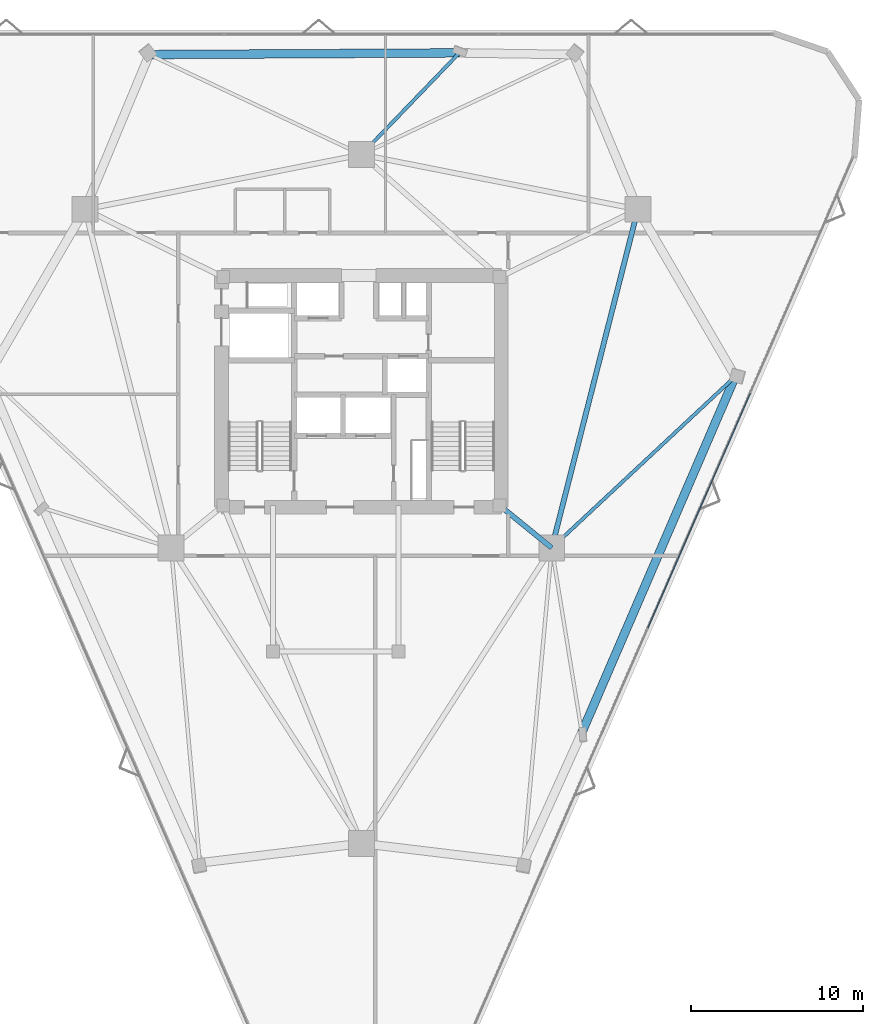
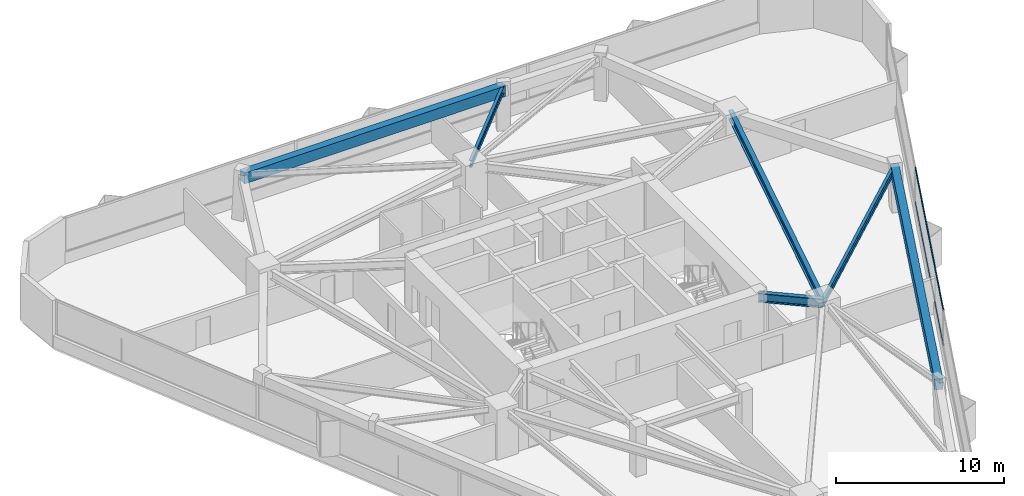
# One storey, part 6 of 14: 6 beams, 2 members, 1 element without a shape of its own.
"""IFC4 building model written with IfcOpenShell, lengths in metres."""

from ifc_helpers import new_model, si_unit, direction, frame, origin, origin_2d, place, context, subcontext, project, spatial, rectangle, i_section, extrude, material, layer, layer_set, material_profile, profile_set, type_object, element, aggregate, save


model = new_model("IFC4")

# Units and contexts
model_context = context("Model", 3, precision=1e-05, world=origin(), true_north=direction((0.0, 1.0)))
body_context = subcontext(model_context, "Body", "Model", "MODEL_VIEW")
ifc_project = project(units=[si_unit("LENGTHUNIT", "METRE"), si_unit("AREAUNIT", "SQUARE_METRE"), si_unit("VOLUMEUNIT", "CUBIC_METRE"), si_unit("PLANEANGLEUNIT", "RADIAN"), si_unit("MASSUNIT", "GRAM", prefix="KILO")], contexts=[model_context])

# Site, building, storey
site_placement = place(None, origin())
site = spatial("IfcSite", under=ifc_project, at=site_placement, CompositionType="ELEMENT")
building_placement = place(site_placement, origin())
building = spatial("IfcBuilding", under=site, at=building_placement, Name="Talyreon Biosciences Tower", CompositionType="ELEMENT")
storey_placement = place(building_placement, frame((0.0, 0.0, 138.14990234375)))
storey = spatial("IfcBuildingStorey", under=building, at=storey_placement, Name="L36", CompositionType="ELEMENT", Elevation=138.14990234375)

# Curtain wall, members
ifc_material_1 = material(Name="Thermally broken aluminium and low-E glazing", Category="aluminium")
ifc_layer = layer(ifc_material_1, 0.18505859375)
ifc_layer_set = layer_set([ifc_layer], Name="Thermally broken aluminium and low-E glazing")
curtain_wall_type = type_object("IfcCurtainWallType", Name="CurtainWall_Zone3Bioprocess", PredefinedType="NOTDEFINED", material=ifc_layer_set)
curtain_wall_placement = place(storey_placement, origin())
curtain_wall = element("IfcCurtainWall", 1, at=curtain_wall_placement, inside=storey, type_object=curtain_wall_type, Name="L36 Unitised Curtain Wall FCW-L36-08", PredefinedType="NOTDEFINED")
ifc_material_2 = material(Name="Anodised thermally broken aluminium", Category="aluminium")
ifc_material_profile_1 = material_profile(ifc_material_2, rectangle(XDim=0.06494140625, YDim=0.139892578125, at=origin_2d()), Name="ALUM TRANSOM 65x140")
ifc_profile_set_1 = profile_set([ifc_material_profile_1], Name="Anodised thermally broken aluminium")
member_type = type_object("IfcMemberType", Name="CWTransom_65x140", PredefinedType="USERDEFINED", material=ifc_profile_set_1)
member_1_placement = place(storey_placement, frame((88.648193359375, 67.880615234375, 0.842529296875), z_axis=(-0.399893696756, -0.916561526192, 0.0), x_axis=(0.916561526192, -0.399893696756, 0.0)))
member_1 = element("IfcMember", 2, at=member_1_placement, type_object=member_type, Name="CW4 transom 2.1", ObjectType="TRANSOM", PredefinedType="USERDEFINED", context=body_context, shape_type="SweptSolid", body=[
    extrude(rectangle(XDim=0.06494140625, YDim=0.139892578125, at=origin_2d()), origin(), (0.0, 0.0, 1.0), 14.9130859375),
])
member_2_placement = place(storey_placement, frame((88.648193359375, 67.880615234375, 3.342529296875), z_axis=(-0.399893696756, -0.916561526192, 0.0), x_axis=(0.916561526192, -0.399893696756, 0.0)))
member_2 = element("IfcMember", 3, at=member_2_placement, type_object=member_type, Name="CW4 transom 2.2", ObjectType="TRANSOM", PredefinedType="USERDEFINED", context=body_context, shape_type="SweptSolid", body=[
    extrude(rectangle(XDim=0.06494140625, YDim=0.139892578125, at=origin_2d()), origin(), (0.0, 0.0, 1.0), 14.9130859375),
])
aggregate(curtain_wall, [member_1, member_2])

# Beams
ifc_material_3 = material(Name="Precast concrete C45/55", Category="concrete")
ifc_material_profile_2 = material_profile(ifc_material_3, rectangle(XDim=0.5, YDim=0.780029296875, at=origin_2d()), Name="RCB 500x780")
ifc_profile_set_2 = profile_set([ifc_material_profile_2], Name="Precast concrete C45/55")
beam_type_1 = type_object("IfcBeamType", Name="ExpressedSpandrel_500x780", PredefinedType="SPANDREL", material=ifc_profile_set_2)
beam_1_placement = place(storey_placement, frame((78.836181640625, 48.1201171875, 2.985107421875), z_axis=(0.395761465056, 0.918353343097, 0.0), x_axis=(-0.918353343097, 0.395761465056, 0.0)))
element("IfcBeam", 4, at=beam_1_placement, inside=storey, type_object=beam_type_1, Name="L36 Expressed Horizontal Concrete Spandrel 03", PredefinedType="SPANDREL", context=body_context, shape_type="SweptSolid", body=[
    extrude(rectangle(XDim=0.5, YDim=0.780029296875, at=origin_2d()), origin(), (0.0, 0.0, 1.0), 22.591064453125),
])
beam_2_placement = place(storey_placement, frame((71.70458984375, 87.7138671875, 2.985107421875), z_axis=(-0.999984723446, -0.005527465461, 0.0), x_axis=(0.005527465461, -0.999984723446, 0.0)))
element("IfcBeam", 5, at=beam_2_placement, inside=storey, type_object=beam_type_1, Name="L36 Expressed Horizontal Concrete Spandrel 07", PredefinedType="SPANDREL", context=body_context, shape_type="SweptSolid", body=[
    extrude(rectangle(XDim=0.5, YDim=0.780029296875, at=origin_2d()), origin(), (0.0, 0.0, 1.0), 18.06494140625),
])
ifc_material_4 = material(Name="Steel SM355", Category="steel")
ifc_material_profile_3 = material_profile(ifc_material_4, i_section(OverallWidth=0.300048828125, OverallDepth=0.64990234375, WebThickness=0.01611328125, FlangeThickness=0.031005859375, FilletRadius=0.027099609375, at=origin_2d()), Name="HE650B")
ifc_profile_set_3 = profile_set([ifc_material_profile_3], Name="Steel SM355")
beam_type_2 = type_object("IfcBeamType", Name="SteelBeam_HE650B", PredefinedType="BEAM", material=ifc_profile_set_3)
beam_3_placement = place(storey_placement, frame((77.086181640625, 58.88037109375, 3.050048828125), z_axis=(0.246537082299, 0.969133358755, 0.0), x_axis=(-0.969133358755, 0.246537082299, 0.0)))
element("IfcBeam", 6, at=beam_3_placement, inside=storey, type_object=beam_type_2, Name="L36 Mega-Ring Girder 2", PredefinedType="BEAM", context=body_context, shape_type="SweptSolid", body=[
    extrude(i_section(OverallWidth=0.300048828125, OverallDepth=0.64990234375, WebThickness=0.01611328125, FlangeThickness=0.031005859375, FilletRadius=0.027099609375, at=origin_2d()), origin(), (0.0, 0.0, 1.0), 20.34619140625),
])
beam_4_placement = place(storey_placement, frame((74.050048828125, 61.35009765625, 3.050048828125), z_axis=(0.775755154013, -0.631034025249, 0.0), x_axis=(0.631034025249, 0.775755154013, 0.0)))
element("IfcBeam", 7, at=beam_4_placement, inside=storey, type_object=beam_type_2, Name="L36 Radial Primary Girder 2", PredefinedType="BEAM", context=body_context, shape_type="SweptSolid", body=[
    extrude(i_section(OverallWidth=0.300048828125, OverallDepth=0.64990234375, WebThickness=0.01611328125, FlangeThickness=0.031005859375, FilletRadius=0.027099609375, at=origin_2d()), origin(), (0.0, 0.0, 1.0), 3.913818359375),
])
ifc_material_profile_4 = material_profile(ifc_material_4, i_section(OverallWidth=0.199951171875, OverallDepth=0.5, WebThickness=0.01025390625, FlangeThickness=0.01611328125, FilletRadius=0.02099609375, at=origin_2d()), Name="IPE500")
ifc_profile_set_4 = profile_set([ifc_material_profile_4], Name="Steel SM355")
beam_type_3 = type_object("IfcBeamType", Name="SteelJoist_IPE500", PredefinedType="JOIST", material=ifc_profile_set_4)
beam_5_placement = place(storey_placement, frame((77.086181640625, 58.88037109375, 3.125), z_axis=(0.730769954975, 0.682623815074, 0.0), x_axis=(-0.682623815074, 0.730769954975, 0.0)))
element("IfcBeam", 8, at=beam_5_placement, inside=storey, type_object=beam_type_3, Name="L36 Radial Composite Floor Joist PC-SE2", PredefinedType="JOIST", context=body_context, shape_type="SweptSolid", body=[
    extrude(i_section(OverallWidth=0.199951171875, OverallDepth=0.5, WebThickness=0.01025390625, FlangeThickness=0.01611328125, FilletRadius=0.02099609375, at=origin_2d()), origin(), (0.0, 0.0, 1.0), 14.62939453125),
])
beam_6_placement = place(storey_placement, frame((66.0, 81.788818359375, 3.125), z_axis=(0.693577796782, 0.720381732008, 0.0), x_axis=(-0.720381732008, 0.693577796782, 0.0)))
element("IfcBeam", 9, at=beam_6_placement, inside=storey, type_object=beam_type_3, Name="L36 Radial Composite Floor Joist PL-N", PredefinedType="JOIST", context=body_context, shape_type="SweptSolid", body=[
    extrude(i_section(OverallWidth=0.199951171875, OverallDepth=0.5, WebThickness=0.01025390625, FlangeThickness=0.01611328125, FilletRadius=0.02099609375, at=origin_2d()), origin(), (0.0, 0.0, 1.0), 8.224853515625),
])

save(model, "model.ifc")
